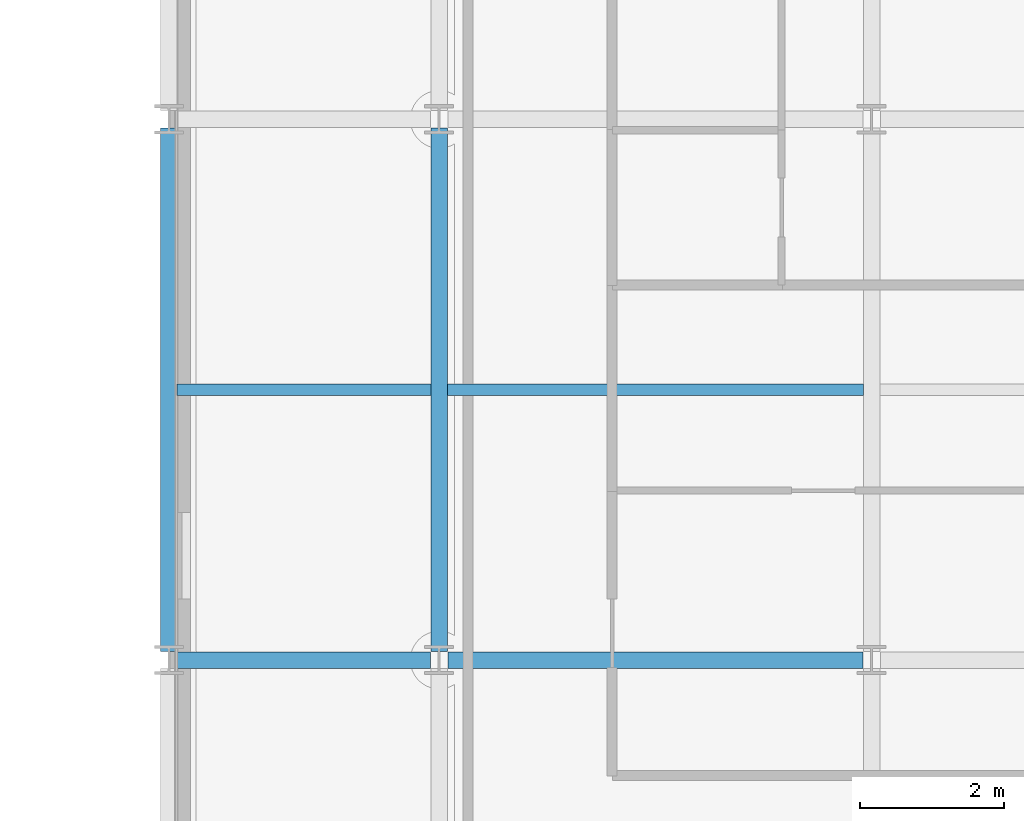
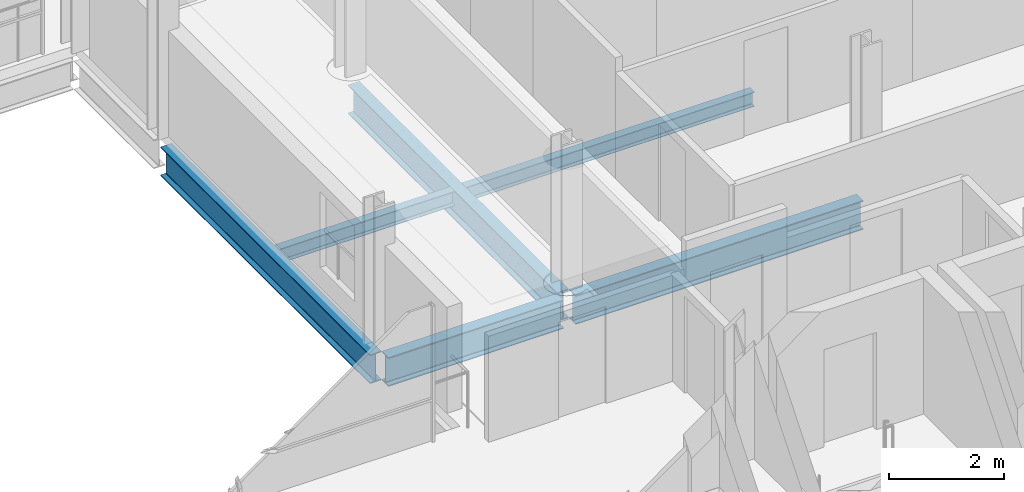
# One storey, part 18 of 41: 6 beams.
"""IFC4 building model written with IfcOpenShell, lengths in metres."""

import ifcopenshell
import ifcopenshell.guid

model = None  # the IFC model being written
_history = None  # IfcOwnerHistory: only IFC2X3 demands one
_inside = {}  # id of a spatial element -> (the spatial element, [elements in it])
_under = {}  # id of a project, library or spatial element -> (it, [spatial elements below it])
_declared = {}  # id of a project -> (the project, [libraries it declares])
_typed = {}  # id of a type object -> (the type object, [elements of that type])
_made_of = {}  # id of a material, layer set ... -> (it, [elements and type objects made of it])


def new_model(schema):
    """Start an empty IFC model of exactly this schema.

    Asked for "IFC4X3", IfcOpenShell would pick the latest addendum, in which some entities
    have other attributes; the version numbers below select the first issue.
    IFC2X3 requires an IfcOwnerHistory on every rooted entity: one is made here for all.
    """
    global model, _history
    if schema == "IFC4X3":
        model = ifcopenshell.file(schema_version=(4, 3, 0, 0))
    else:
        model = ifcopenshell.file(schema=schema)
    _inside.clear()
    _under.clear()
    _declared.clear()
    _typed.clear()
    _made_of.clear()
    _history = None
    if model.schema == "IFC2X3":
        org = make("IfcOrganization", Name="unknown")
        user = make(
            "IfcPersonAndOrganization",
            ThePerson=make("IfcPerson", FamilyName="unknown"),
            TheOrganization=org,
        )
        app = make(
            "IfcApplication",
            ApplicationDeveloper=org,
            Version="unknown",
            ApplicationFullName="unknown",
            ApplicationIdentifier="unknown",
        )
        _history = make(
            "IfcOwnerHistory",
            OwningUser=user,
            OwningApplication=app,
            ChangeAction="ADDED",
            CreationDate=0,
        )
    return model


def make(cls, **values):
    """One entity of the class cls with the attributes given. An attribute that is None is left unset."""
    return model.create_entity(
        cls, **{name: value for name, value in values.items() if value is not None}
    )


def rooted(cls, **values):
    """An entity with a GlobalId (a new one), such as an element, a storey or a relation."""
    return make(cls, GlobalId=ifcopenshell.guid.new(), OwnerHistory=_history, **values)


def si_unit(unit_type, name, prefix=None):
    """IfcSIUnit, for example si_unit("LENGTHUNIT", "METRE", prefix="MILLI")."""
    return make("IfcSIUnit", UnitType=unit_type, Prefix=prefix, Name=name)


def assignment(units):
    """IfcUnitAssignment: the units of a project."""
    return None if units is None else make("IfcUnitAssignment", Units=units)


def point(xyz):
    """IfcCartesianPoint."""
    return None if xyz is None else make("IfcCartesianPoint", Coordinates=xyz)


def direction(xyz):
    """IfcDirection."""
    return None if xyz is None else make("IfcDirection", DirectionRatios=xyz)


def frame(location, z_axis=None, x_axis=None):
    """IfcAxis2Placement3D, a coordinate frame: its origin and axes. An axis left out is left unset."""
    return make(
        "IfcAxis2Placement3D",
        Location=point(location),
        Axis=direction(z_axis),
        RefDirection=direction(x_axis),
    )


def frame_2d(location, x_axis=None):
    """IfcAxis2Placement2D, a coordinate frame in the plane: its origin and x axis."""
    return make(
        "IfcAxis2Placement2D", Location=point(location), RefDirection=direction(x_axis)
    )


def origin():
    """The frame at (0, 0, 0) with its axes left unset."""
    return frame((0.0, 0.0, 0.0))


def origin_2d():
    """The frame at (0, 0) in the plane with its x axis left unset."""
    return frame_2d((0.0, 0.0))


def place(relative_to, where):
    """IfcLocalPlacement: puts the frame where relative to a parent placement (None: the world)."""
    return make(
        "IfcLocalPlacement", PlacementRelTo=relative_to, RelativePlacement=where
    )


def context(
    kind, dimensions, precision=None, world=None, true_north=None, identifier=None
):
    """IfcGeometricRepresentationContext, for example the 3D "Model" context."""
    return make(
        "IfcGeometricRepresentationContext",
        ContextIdentifier=identifier,
        ContextType=kind,
        CoordinateSpaceDimension=dimensions,
        Precision=precision,
        WorldCoordinateSystem=world,
        TrueNorth=true_north,
    )


def subcontext(parent, identifier, kind, view, scale=None):
    """IfcGeometricRepresentationSubContext, for example "Body" below "Model"."""
    return make(
        "IfcGeometricRepresentationSubContext",
        ContextIdentifier=identifier,
        ContextType=kind,
        ParentContext=parent,
        TargetScale=scale,
        TargetView=view,
    )


def project(units=None, contexts=None):
    """IfcProject with its units and contexts."""
    return rooted(
        "IfcProject",
        Name="project",
        RepresentationContexts=contexts,
        UnitsInContext=assignment(units),
    )


def spatial(cls, under=None, at=None, **own):
    """A site, building, storey or space (cls), placed at a placement, below another one or the project."""
    s = rooted(cls, ObjectPlacement=at, **own)
    if under is not None:
        _under.setdefault(under.id(), (under, []))[1].append(s)
    return s


def profile(cls, at=None, kind="AREA", **sizes):
    """A parametric profile (cls). Its sizes go by their IFC names, for example OverallWidth=200.0."""
    return make(cls, ProfileType=kind, Position=at, **sizes)


def i_section(**sizes):
    """IfcIShapeProfileDef."""
    return profile("IfcIShapeProfileDef", **sizes)


def extrude(swept, where, along, depth):
    """IfcExtrudedAreaSolid: the profile swept, set in the frame where, extruded along a direction by depth."""
    return make(
        "IfcExtrudedAreaSolid",
        SweptArea=swept,
        Position=where,
        ExtrudedDirection=direction(along),
        Depth=depth,
    )


def shape(context_of_items, identifier, shape_type, items):
    """IfcShapeRepresentation: the items that make up one representation, for example the "Body"."""
    return make(
        "IfcShapeRepresentation",
        ContextOfItems=context_of_items,
        RepresentationIdentifier=identifier,
        RepresentationType=shape_type,
        Items=items,
    )


def material(Name=None, Category=None):
    """IfcMaterial."""
    return make("IfcMaterial", Name=Name, Category=Category)


def material_profile(
    of_material, cross_section, Name=None, Category=None, Priority=None
):
    """IfcMaterialProfile: a cross section and its material."""
    return make(
        "IfcMaterialProfile",
        Name=Name,
        Material=of_material,
        Profile=cross_section,
        Priority=Priority,
        Category=Category,
    )


def profile_set(profiles, Name=None, composite=None):
    """IfcMaterialProfileSet."""
    return make(
        "IfcMaterialProfileSet",
        Name=Name,
        MaterialProfiles=profiles,
        CompositeProfile=composite,
    )


def made_of(thing, what):
    """Note that an element or type object is made of a material, layer set ...; save() writes the relation."""
    if what is not None:
        _made_of.setdefault(what.id(), (what, []))[1].append(thing)
    return thing


def type_object(cls, material=None, **own):
    """A type object (cls), such as IfcWallType, which elements share."""
    return made_of(rooted(cls, **own), material)


def element(
    cls,
    number,
    at=None,
    inside=None,
    cuts=None,
    type_object=None,
    material=None,
    context=None,
    identifier="Body",
    shape_type=None,
    held_by="IfcProductDefinitionShape",
    body=None,
    shapes=None,
    **own,
):
    """One element of the class cls, such as IfcWall. Its Tag is "e" and its number.

    at: its placement. inside: the storey or other place that contains it. cuts: it is an
    opening in that element (IfcRelVoidsElement). A single representation is given by context,
    identifier, shape_type and body (its items); several are given by shapes. held_by: the class
    of the entity that holds the representations. save() writes the other relations.
    """
    e = rooted(cls, Tag="e%d" % number, ObjectPlacement=at, **own)
    if body is not None:
        shapes = [shape(context, identifier, shape_type, body)]
    if shapes is not None:
        e.Representation = make(held_by, Representations=shapes)
    if inside is not None:
        _inside.setdefault(inside.id(), (inside, []))[1].append(e)
    if cuts is not None:
        rooted(
            "IfcRelVoidsElement", RelatingBuildingElement=cuts, RelatedOpeningElement=e
        )
    if type_object is not None:
        _typed.setdefault(type_object.id(), (type_object, []))[1].append(e)
    return made_of(e, material)


def aggregate(whole, parts):
    """IfcRelAggregates: a whole, such as a stair, and the parts it consists of."""
    return rooted("IfcRelAggregates", RelatingObject=whole, RelatedObjects=parts)


def save(model, path):
    """Write the relations noted so far, then the file.

    IfcRelAggregates (storeys below a building ...), IfcRelContainedInSpatialStructure (elements
    in a storey), IfcRelDefinesByType, IfcRelAssociatesMaterial and IfcRelDeclares: one each for
    every whole, place, type object, material and project.
    """
    for whole, parts in _under.values():
        aggregate(whole, parts)
    for where, things in _inside.values():
        rooted(
            "IfcRelContainedInSpatialStructure",
            RelatedElements=things,
            RelatingStructure=where,
        )
    for kind, things in _typed.values():
        rooted("IfcRelDefinesByType", RelatedObjects=things, RelatingType=kind)
    for what, things in _made_of.values():
        rooted("IfcRelAssociatesMaterial", RelatedObjects=things, RelatingMaterial=what)
    for by, libraries in _declared.values():
        rooted("IfcRelDeclares", RelatingContext=by, RelatedDefinitions=libraries)
    model.write(path)


model = new_model("IFC4")

# Units and contexts
model_context = context("Model", 3, precision=1e-05, world=origin(), true_north=direction((0.0, 1.0)))
body_context = subcontext(model_context, "Body", "Model", "MODEL_VIEW")
ifc_project = project(units=[si_unit("LENGTHUNIT", "METRE"), si_unit("AREAUNIT", "SQUARE_METRE"), si_unit("VOLUMEUNIT", "CUBIC_METRE"), si_unit("PLANEANGLEUNIT", "RADIAN"), si_unit("MASSUNIT", "GRAM", prefix="KILO")], contexts=[model_context])

# Site, building, storey
site_placement = place(None, origin())
site = spatial("IfcSite", under=ifc_project, at=site_placement, CompositionType="ELEMENT")
building_placement = place(site_placement, origin())
building = spatial("IfcBuilding", under=site, at=building_placement, Name="Brevholm Reach", CompositionType="ELEMENT")
storey_placement = place(building_placement, frame((0.0, 0.0, 138.699951171875)))
storey = spatial("IfcBuildingStorey", under=building, at=storey_placement, Name="L41", CompositionType="ELEMENT", Elevation=138.699951171875)

# Beams
ifc_material_1 = material(Name="Structural Steel S355J2", Category="steel")
ifc_material_profile_1 = material_profile(ifc_material_1, i_section(OverallWidth=0.1650390625, OverallDepth=0.303466796875, WebThickness=0.006103515625, FlangeThickness=0.01025390625, FilletRadius=0.0087890625, at=origin_2d()), Name="UKB 305x165x40")
ifc_profile_set_1 = profile_set([ifc_material_profile_1], Name="Structural Steel S355J2")
beam_type_1 = type_object("IfcBeamType", Name="BM-B305", PredefinedType="BEAM", material=ifc_profile_set_1)
beam_1_placement = place(storey_placement, frame((38.364501953125, 19.75, -0.37158203125), z_axis=(1.0, 0.0, 0.0), x_axis=(0.0, 1.0, 0.0)))
element("IfcBeam", 1, at=beam_1_placement, inside=storey, type_object=beam_type_1, Name="L41 Composite Secondary Floor Beam", PredefinedType="BEAM", context=body_context, shape_type="SweptSolid", body=[
    extrude(i_section(OverallWidth=0.1650390625, OverallDepth=0.303466796875, WebThickness=0.006103515625, FlangeThickness=0.01025390625, FilletRadius=0.0087890625, at=origin_2d()), origin(), (0.0, 0.0, 1.0), 3.52099609375),
])
beam_2_placement = place(storey_placement, frame((42.114501953125, 19.75, -0.37158203125), z_axis=(1.0, 0.0, 0.0), x_axis=(0.0, 1.0, 0.0)))
element("IfcBeam", 2, at=beam_2_placement, inside=storey, type_object=beam_type_1, Name="L41 Composite Secondary Floor Beam", PredefinedType="BEAM", context=body_context, shape_type="SweptSolid", body=[
    extrude(i_section(OverallWidth=0.1650390625, OverallDepth=0.303466796875, WebThickness=0.006103515625, FlangeThickness=0.01025390625, FilletRadius=0.0087890625, at=origin_2d()), origin(), (0.0, 0.0, 1.0), 5.77099609375),
])
ifc_material_2 = material(Name="Structural Steel S355J2", Category="steel")
ifc_material_profile_2 = material_profile(ifc_material_2, i_section(OverallWidth=0.22900390625, OverallDepth=0.6123046875, WebThickness=0.011962890625, FlangeThickness=0.01953125, FilletRadius=0.0126953125, at=origin_2d()), Name="UKB 610x229x125")
ifc_profile_set_2 = profile_set([ifc_material_profile_2], Name="Structural Steel S355J2")
beam_type_2 = type_object("IfcBeamType", Name="BM-SP610", PredefinedType="SPANDREL", material=ifc_profile_set_2)
beam_3_placement = place(storey_placement, frame((38.3701171875, 16.0, -0.526123046875), z_axis=(1.0, 0.0, 0.0), x_axis=(0.0, 1.0, 0.0)))
element("IfcBeam", 3, at=beam_3_placement, inside=storey, type_object=beam_type_2, Name="L41 SP-01 Framing Beam", PredefinedType="SPANDREL", context=body_context, shape_type="SweptSolid", body=[
    extrude(i_section(OverallWidth=0.22900390625, OverallDepth=0.6123046875, WebThickness=0.011962890625, FlangeThickness=0.01953125, FilletRadius=0.0126953125, at=origin_2d()), origin(), (0.0, 0.0, 1.0), 3.509765625),
])
beam_4_placement = place(storey_placement, frame((42.1201171875, 16.0, -0.526123046875), z_axis=(1.0, 0.0, 0.0), x_axis=(0.0, 1.0, 0.0)))
element("IfcBeam", 4, at=beam_4_placement, inside=storey, type_object=beam_type_2, Name="L41 SP-01 Framing Beam", PredefinedType="SPANDREL", context=body_context, shape_type="SweptSolid", body=[
    extrude(i_section(OverallWidth=0.22900390625, OverallDepth=0.6123046875, WebThickness=0.011962890625, FlangeThickness=0.01953125, FilletRadius=0.0126953125, at=origin_2d()), origin(), (0.0, 0.0, 1.0), 5.759765625),
])
for number, where, z_axis, x_axis, name in (
    (5, (38.25, 16.1201171875, -0.526123046875), (0.0, 1.0, 0.0), (-1.0, 0.0, 0.0), "L41 SP-01 Framing Beam"),
    (6, (42.0, 16.1201171875, -0.526123046875), (0.0, 1.0, 0.0), (-1.0, 0.0, 0.0), "L41 SP-01 Framing Beam"),
):
    element("IfcBeam", number, at=place(storey_placement, frame(where, z_axis=z_axis, x_axis=x_axis)), inside=storey, type_object=beam_type_2, Name=name, PredefinedType="SPANDREL", context=body_context, shape_type="SweptSolid", body=[
        extrude(i_section(OverallWidth=0.22900390625, OverallDepth=0.6123046875, WebThickness=0.011962890625, FlangeThickness=0.01953125, FilletRadius=0.0126953125, at=origin_2d()), origin(), (0.0, 0.0, 1.0), 7.259765625),
    ])

save(model, "model.ifc")
